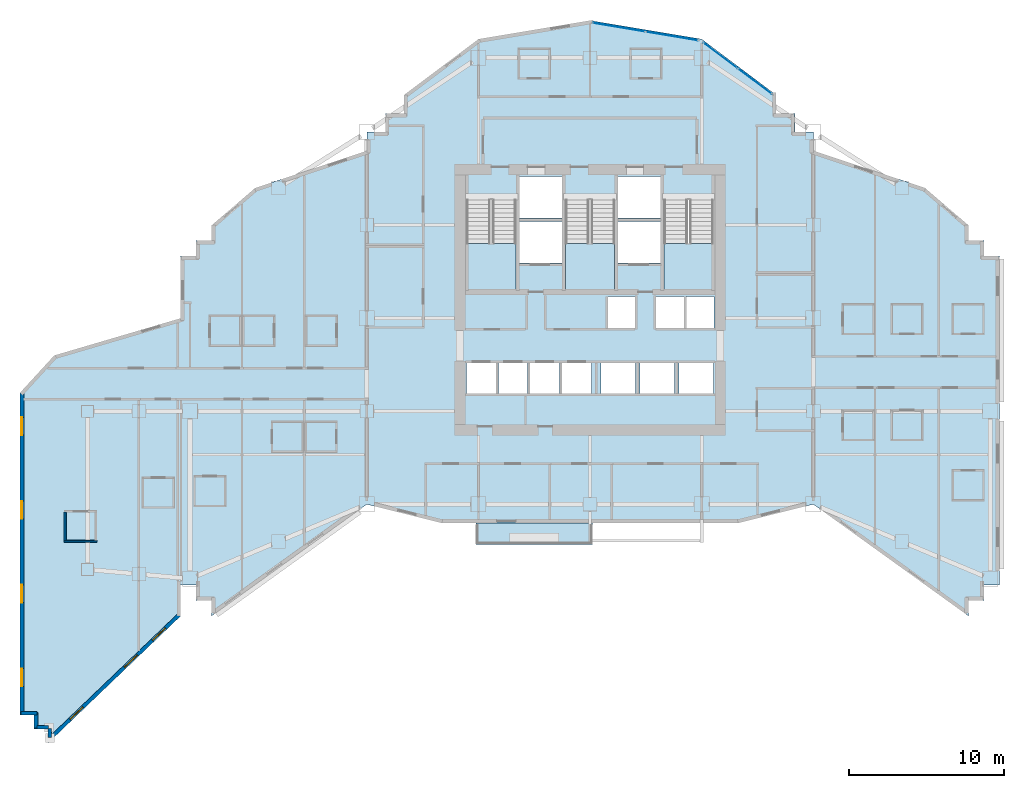
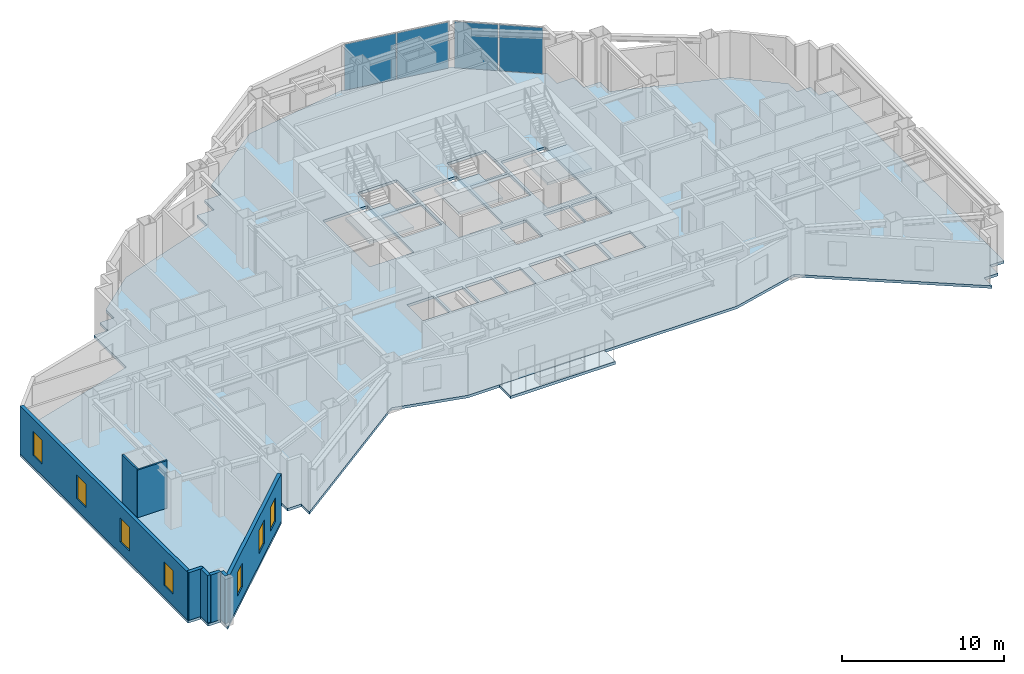
# One storey, part 5 of 16: 8 walls, 7 windows, 5 slabs, 4 plates, 7 openings, 5 elements without a shape of their own.
"""IFC4 building model written with IfcOpenShell, lengths in metres."""

from ifc_helpers import new_model, si_unit, direction, frame, frame_2d, origin, origin_2d, place, context, subcontext, project, spatial, polyline, rectangle, outline, extrude, material, layer, layer_set, type_object, element, fill, aggregate, save


model = new_model("IFC4")

# Units and contexts
model_context = context("Model", 3, precision=1e-05, world=origin(), true_north=direction((0.0, 1.0)))
body_context = subcontext(model_context, "Body", "Model", "MODEL_VIEW")
ifc_project = project(units=[si_unit("LENGTHUNIT", "METRE"), si_unit("AREAUNIT", "SQUARE_METRE"), si_unit("VOLUMEUNIT", "CUBIC_METRE"), si_unit("PLANEANGLEUNIT", "RADIAN"), si_unit("MASSUNIT", "GRAM", prefix="KILO")], contexts=[model_context])

# Site, building, storey
site_placement = place(None, origin())
site = spatial("IfcSite", under=ifc_project, at=site_placement, CompositionType="ELEMENT")
building_placement = place(site_placement, origin())
building = spatial("IfcBuilding", under=site, at=building_placement, Name="Haolan Belvedere Tower", CompositionType="ELEMENT")
storey_placement = place(building_placement, frame((0.0, 0.0, 125.0)))
storey = spatial("IfcBuildingStorey", under=building, at=storey_placement, Name="L31", CompositionType="ELEMENT", Elevation=125.0)

# Curtain wall, plates
ifc_material_1 = material(Name="Anodised champagne-silver aluminium 6063-T6 and Low-E glass", Category="aluminium")
ifc_layer_1 = layer(ifc_material_1, 0.155029296875, Name="Anodised champagne-silver aluminium 6063-T6 and Low-E glass")
ifc_layer_set_1 = layer_set([ifc_layer_1], Name="Anodised champagne-silver aluminium 6063-T6 and Low-E glass")
curtain_wall_type = type_object("IfcCurtainWallType", Name="CW-SYS-03", PredefinedType="NOTDEFINED", material=ifc_layer_set_1)
curtain_wall_1_placement = place(storey_placement, origin())
curtain_wall_1 = element("IfcCurtainWall", 1, at=curtain_wall_1_placement, inside=storey, type_object=curtain_wall_type, Name="L31 CW-SYS-03 ribbon curtain wall 26.1", PredefinedType="NOTDEFINED")
ifc_material_2 = material(Name="Double silver Low-E laminated insulating glass", Category="glass")
ifc_layer_2 = layer(ifc_material_2, 0.02392578125, Name="Double silver Low-E laminated insulating glass")
ifc_layer_set_2 = layer_set([ifc_layer_2], Name="Double silver Low-E laminated insulating glass")
plate_type = type_object("IfcPlateType", Name="CW-SYS-03-PNL", PredefinedType="CURTAIN_PANEL", material=ifc_layer_set_2)
plate_1_placement = place(storey_placement, frame((49.0302734375, 48.877197265625, 0.05419921875), z_axis=(0.0, 0.0, 1.0), x_axis=(-0.800004262313, 0.599994316874, 0.0)))
plate_1 = element("IfcPlate", 2, at=plate_1_placement, type_object=plate_type, Name="CW-03 panel 1.1", PredefinedType="CURTAIN_PANEL", context=body_context, shape_type="SweptSolid", body=[
    extrude(rectangle(XDim=2.728271484375, YDim=0.02392578125, at=origin_2d()), origin(), (0.0, 0.0, 1.0), 3.491943359375),
])
plate_2_placement = place(storey_placement, frame((46.80126953125, 50.549072265625, 0.05419921875), z_axis=(0.0, 0.0, 1.0), x_axis=(-0.800004262313, 0.599994316874, 0.0)))
plate_2 = element("IfcPlate", 3, at=plate_2_placement, type_object=plate_type, Name="CW-03 panel 2.1", PredefinedType="CURTAIN_PANEL", context=body_context, shape_type="SweptSolid", body=[
    extrude(rectangle(XDim=2.728271484375, YDim=0.02392578125, at=origin_2d()), origin(), (0.0, 0.0, 1.0), 3.491943359375),
])
aggregate(curtain_wall_1, [plate_1, plate_2])

curtain_wall_2_placement = place(storey_placement, origin())
curtain_wall_2 = element("IfcCurtainWall", 4, at=curtain_wall_2_placement, inside=storey, type_object=curtain_wall_type, Name="L31 CW-SYS-03 ribbon curtain wall 27.1", PredefinedType="NOTDEFINED")
plate_3_placement = place(storey_placement, frame((43.68017578125, 51.79833984375, 0.05419921875), z_axis=(0.0, 0.0, 1.0), x_axis=(-0.9863931483, 0.16440364043, 0.0)))
plate_3 = element("IfcPlate", 5, at=plate_3_placement, type_object=plate_type, Name="CW-03 panel 1.1", PredefinedType="CURTAIN_PANEL", context=body_context, shape_type="SweptSolid", body=[
    extrude(rectangle(XDim=3.39794921875, YDim=0.02392578125, at=origin_2d()), origin(), (0.0, 0.0, 1.0), 3.491943359375),
])
plate_4_placement = place(storey_placement, frame((40.271240234375, 52.366455078125, 0.05419921875), z_axis=(0.0, 0.0, 1.0), x_axis=(-0.9863931483, 0.16440364043, 0.0)))
plate_4 = element("IfcPlate", 6, at=plate_4_placement, type_object=plate_type, Name="CW-03 panel 2.1", PredefinedType="CURTAIN_PANEL", context=body_context, shape_type="SweptSolid", body=[
    extrude(rectangle(XDim=3.39794921875, YDim=0.02392578125, at=origin_2d()), origin(), (0.0, 0.0, 1.0), 3.491943359375),
])
aggregate(curtain_wall_2, [plate_3, plate_4])

# Slabs
ifc_material_3 = material(Name="Concrete C40/50", Category="concrete")
ifc_layer_3 = layer(ifc_material_3, 0.2099609375, Name="Concrete C40/50")
ifc_layer_set_3 = layer_set([ifc_layer_3], Name="Concrete C40/50")
slab_type_1 = type_object("IfcSlabType", Name="SL-BAL-210", PredefinedType="FLOOR", material=ifc_layer_set_3)
slab_1_placement = place(storey_placement, frame((0.0, 0.0, -0.22998046875)))
element("IfcSlab", 7, at=slab_1_placement, inside=storey, type_object=slab_type_1, Name="L31 structural tree-planter balcony slab BAL-L31-S1", PredefinedType="FLOOR", context=body_context, shape_type="SweptSolid", body=[
    extrude(outline(polyline([(31.050048828125, 19.02001953125), (38.550048828125, 19.02001953125), (38.550048828125, 20.39990234375), (31.050048828125, 20.39990234375), (31.050048828125, 19.02001953125)])), origin(), (0.0, 0.0, 1.0), 0.2099609375),
])
ifc_layer_4 = layer(ifc_material_3, 0.199951171875, Name="Concrete C40/50")
ifc_layer_set_4 = layer_set([ifc_layer_4], Name="Concrete C40/50")
slab_type_2 = type_object("IfcSlabType", Name="SL-FLR-200", PredefinedType="FLOOR", material=ifc_layer_set_4)
slab_2_placement = place(storey_placement, frame((0.0, 0.0, -0.199951171875)))
element("IfcSlab", 8, at=slab_2_placement, inside=storey, type_object=slab_type_2, Name="L31 structural floor slab", PredefinedType="FLOOR", context=body_context, shape_type="SweptSolid", body=[
    extrude(outline(polyline([(12.0, 14.39990234375), (12.0, 16.39990234375), (13.0, 16.39990234375), (13.0, 15.39990234375), (14.0, 15.39990234375), (14.0, 14.39990234375), (24.0, 21.60009765625), (28.800048828125, 20.39990234375), (48.0, 20.39990234375), (52.800048828125, 21.60009765625), (62.800048828125, 14.39990234375), (62.800048828125, 15.39990234375), (63.800048828125, 15.39990234375), (63.800048828125, 16.39990234375), (64.800048828125, 16.39990234375), (64.800048828125, 37.60009765625), (63.800048828125, 37.60009765625), (63.800048828125, 38.60009765625), (62.800048828125, 38.60009765625), (62.800048828125, 39.60009765625), (60.0, 42.0), (52.800048828125, 44.39990234375), (52.800048828125, 45.60009765625), (51.60009765625, 45.60009765625), (51.60009765625, 46.800048828125), (50.39990234375, 46.800048828125), (50.39990234375, 48.0), (45.60009765625, 51.60009765625), (38.39990234375, 52.800048828125), (31.199951171875, 51.60009765625), (26.39990234375, 48.0), (26.39990234375, 46.800048828125), (25.199951171875, 46.800048828125), (25.199951171875, 45.60009765625), (24.0, 45.60009765625), (24.0, 44.39990234375), (16.800048828125, 42.0), (14.0, 39.60009765625), (14.0, 38.60009765625), (13.0, 38.60009765625), (13.0, 37.60009765625), (12.0, 37.60009765625), (12.0, 33.60009765625), (3.840087890625, 31.199951171875), (1.639892578125, 28.800048828125), (1.639892578125, 8.597900390625), (1.639892578125, 7.998046875), (2.5400390625, 7.998046875), (2.5400390625, 7.097900390625), (3.43994140625, 7.097900390625), (3.43994140625, 6.197998046875), (12.0, 14.39990234375)]), holes=[polyline([(30.449951171875, 41.22998046875), (30.449951171875, 35.449951171875), (33.6298828125, 35.449951171875), (33.6298828125, 41.22998046875), (30.449951171875, 41.22998046875)]), polyline([(36.81005859375, 41.22998046875), (36.81005859375, 35.449951171875), (39.989990234375, 35.449951171875), (39.989990234375, 41.22998046875), (36.81005859375, 41.22998046875)]), polyline([(43.169921875, 41.22998046875), (43.169921875, 35.449951171875), (46.35009765625, 35.449951171875), (46.35009765625, 41.22998046875), (43.169921875, 41.22998046875)]), polyline([(33.830078125, 40.050048828125), (36.610107421875, 40.050048828125), (36.610107421875, 42.75), (33.830078125, 42.75), (33.830078125, 40.050048828125)]), polyline([(33.830078125, 37.14990234375), (36.610107421875, 37.14990234375), (36.610107421875, 39.85009765625), (33.830078125, 39.85009765625), (33.830078125, 37.14990234375)]), polyline([(40.18994140625, 40.050048828125), (42.969970703125, 40.050048828125), (42.969970703125, 42.75), (40.18994140625, 42.75), (40.18994140625, 40.050048828125)]), polyline([(40.18994140625, 37.14990234375), (42.969970703125, 37.14990234375), (42.969970703125, 39.85009765625), (40.18994140625, 39.85009765625), (40.18994140625, 37.14990234375)]), polyline([(39.5400390625, 32.949951171875), (41.389892578125, 32.949951171875), (41.389892578125, 35.0), (39.5400390625, 35.0), (39.5400390625, 32.949951171875)]), polyline([(42.6201171875, 32.949951171875), (44.469970703125, 32.949951171875), (44.469970703125, 35.0), (42.6201171875, 35.0), (42.6201171875, 32.949951171875)]), polyline([(44.580078125, 32.949951171875), (46.3798828125, 32.949951171875), (46.3798828125, 35.0), (44.580078125, 35.0), (44.580078125, 32.949951171875)]), polyline([(30.419921875, 28.75), (32.320068359375, 28.75), (32.320068359375, 30.75), (30.419921875, 30.75), (30.419921875, 28.75)]), polyline([(32.47998046875, 28.75), (34.3798828125, 28.75), (34.3798828125, 30.75), (32.47998046875, 30.75), (32.47998046875, 28.75)]), polyline([(34.5400390625, 28.75), (36.43994140625, 28.75), (36.43994140625, 30.75), (34.5400390625, 30.75), (34.5400390625, 28.75)]), polyline([(36.60009765625, 28.75), (38.5, 28.75), (38.5, 30.75), (36.60009765625, 30.75), (36.60009765625, 28.75)]), polyline([(39.10009765625, 28.75), (41.340087890625, 28.75), (41.340087890625, 30.75), (39.10009765625, 30.75), (39.10009765625, 28.75)]), polyline([(41.610107421875, 28.75), (43.85009765625, 28.75), (43.85009765625, 30.75), (41.610107421875, 30.75), (41.610107421875, 28.75)]), polyline([(44.1201171875, 28.75), (46.360107421875, 28.75), (46.360107421875, 30.75), (44.1201171875, 30.75), (44.1201171875, 28.75)])]), origin(), (0.0, 0.0, 1.0), 0.199951171875),
])

# Stair, slab
stair_type = type_object("IfcStairType", Name="STR-DL-22R-173", PredefinedType="HALF_TURN_STAIR", material=ifc_material_3)
stair_1_placement = place(storey_placement, origin())
stair_1 = element("IfcStair", 9, at=stair_1_placement, inside=storey, type_object=stair_type, Name="L31 Smokeproof Core Exit Stair ST1", PredefinedType="HALF_TURN_STAIR")
ifc_layer_5 = layer(ifc_material_3, 0.199951171875, Name="Concrete C40/50")
ifc_layer_set_5 = layer_set([ifc_layer_5], Name="Concrete C40/50")
slab_type_3 = type_object("IfcSlabType", Name="SL-LAND-200", PredefinedType="LANDING", material=ifc_layer_set_5)
slab_3_placement = place(storey_placement, frame((0.0, 0.0, 1.699951171875)))
slab_3 = element("IfcSlab", 10, at=slab_3_placement, type_object=slab_type_3, Name="ST1 landing 1", PredefinedType="LANDING", context=body_context, shape_type="SweptSolid", body=[
    extrude(outline(polyline([(30.449951171875, 38.429931640625), (30.449951171875, 35.449951171875), (33.6298828125, 35.449951171875), (33.6298828125, 38.429931640625), (30.449951171875, 38.429931640625)])), origin(), (0.0, 0.0, 1.0), 0.199951171875),
])
aggregate(stair_1, [slab_3])

stair_2_placement = place(storey_placement, origin())
stair_2 = element("IfcStair", 11, at=stair_2_placement, inside=storey, type_object=stair_type, Name="L31 Smokeproof Core Exit Stair ST3", PredefinedType="HALF_TURN_STAIR")
slab_4_placement = place(storey_placement, frame((0.0, 0.0, 1.699951171875)))
slab_4 = element("IfcSlab", 12, at=slab_4_placement, type_object=slab_type_3, Name="ST3 landing 1", PredefinedType="LANDING", context=body_context, shape_type="SweptSolid", body=[
    extrude(outline(polyline([(36.81005859375, 38.429931640625), (36.81005859375, 35.449951171875), (39.989990234375, 35.449951171875), (39.989990234375, 38.429931640625), (36.81005859375, 38.429931640625)])), origin(), (0.0, 0.0, 1.0), 0.199951171875),
])
aggregate(stair_2, [slab_4])

stair_3_placement = place(storey_placement, origin())
stair_3 = element("IfcStair", 13, at=stair_3_placement, inside=storey, type_object=stair_type, Name="L31 Smokeproof Core Exit Stair ST2", PredefinedType="HALF_TURN_STAIR")
slab_5_placement = place(storey_placement, frame((0.0, 0.0, 1.699951171875)))
slab_5 = element("IfcSlab", 14, at=slab_5_placement, type_object=slab_type_3, Name="ST2 landing 1", PredefinedType="LANDING", context=body_context, shape_type="SweptSolid", body=[
    extrude(outline(polyline([(43.169921875, 38.429931640625), (43.169921875, 35.449951171875), (46.35009765625, 35.449951171875), (46.35009765625, 38.429931640625), (43.169921875, 38.429931640625)])), origin(), (0.0, 0.0, 1.0), 0.199951171875),
])
aggregate(stair_3, [slab_5])

# Wall, openings, windows
ifc_material_4 = material(Name="Precast concrete C40/50", Category="concrete")
ifc_layer_6 = layer(ifc_material_4, 0.239990234375, Name="Precast concrete C40/50")
ifc_layer_set_6 = layer_set([ifc_layer_6], Name="Precast concrete C40/50")
wall_type_1 = type_object("IfcWallType", Name="WL-EXT-240", PredefinedType="SOLIDWALL", material=ifc_layer_set_6)
wall_1_placement = place(storey_placement, frame((1.760009765625, 28.808349609375, 0.0), z_axis=(0.0, 0.0, 1.0), x_axis=(0.0, -1.0, 0.0)))
wall_1 = element("IfcWall", 15, at=wall_1_placement, inside=storey, type_object=wall_type_1, Name="L31 pale-metal exterior spandrel wall 44.1", PredefinedType="SOLIDWALL", context=body_context, shape_type="SweptSolid", body=[
    extrude(rectangle(XDim=20.745361328125, YDim=0.239990234375, at=frame_2d((10.37255859375, 0.0))), origin(), (0.0, 0.0, 1.0), 3.60009765625),
])
opening_1_placement = place(wall_1_placement, frame((1.60009765625, 0.0, 0.85009765625)))
opening_1 = element("IfcOpeningElement", 16, at=opening_1_placement, cuts=wall_1, Name="Opening W-02", PredefinedType="OPENING", context=body_context, shape_type="SweptSolid", body=[
    extrude(rectangle(XDim=1.14990234375, YDim=1.800048828125, at=frame_2d((0.574951171875, 0.89990234375))), frame((0.0, 0.1298828125, 0.0), z_axis=(0.0, -1.0, 0.0), x_axis=(1.0, 0.0, 0.0)), (0.0, 0.0, 1.0), 0.260009765625),
])
opening_2_placement = place(wall_1_placement, frame((7.0, 0.0, 0.85009765625)))
opening_2 = element("IfcOpeningElement", 17, at=opening_2_placement, cuts=wall_1, Name="Opening W-02", PredefinedType="OPENING", context=body_context, shape_type="SweptSolid", body=[
    extrude(rectangle(XDim=1.14990234375, YDim=1.800048828125, at=frame_2d((0.574951171875, 0.89990234375))), frame((0.0, 0.1298828125, 0.0), z_axis=(0.0, -1.0, 0.0), x_axis=(1.0, 0.0, 0.0)), (0.0, 0.0, 1.0), 0.260009765625),
])
opening_3_placement = place(wall_1_placement, frame((12.39990234375, 0.0, 0.85009765625)))
opening_3 = element("IfcOpeningElement", 18, at=opening_3_placement, cuts=wall_1, Name="Opening W-02", PredefinedType="OPENING", context=body_context, shape_type="SweptSolid", body=[
    extrude(rectangle(XDim=1.14990234375, YDim=1.800048828125, at=frame_2d((0.574951171875, 0.89990234375))), frame((0.0, 0.1298828125, 0.0), z_axis=(0.0, -1.0, 0.0), x_axis=(1.0, 0.0, 0.0)), (0.0, 0.0, 1.0), 0.260009765625),
])
opening_4_placement = place(wall_1_placement, frame((17.800048828125, 0.0, 0.85009765625)))
opening_4 = element("IfcOpeningElement", 19, at=opening_4_placement, cuts=wall_1, Name="Opening W-02", PredefinedType="OPENING", context=body_context, shape_type="SweptSolid", body=[
    extrude(rectangle(XDim=1.14990234375, YDim=1.800048828125, at=frame_2d((0.574951171875, 0.89990234375))), frame((0.0, 0.1298828125, 0.0), z_axis=(0.0, -1.0, 0.0), x_axis=(1.0, 0.0, 0.0)), (0.0, 0.0, 1.0), 0.260009765625),
])
ifc_material_5 = material(Name="Anodised aluminium 6063-T6 and Low-E glass", Category="aluminium")
window_type = type_object("IfcWindowType", Name="WN-DECO-Z2", PartitioningType="SINGLE_PANEL", PredefinedType="WINDOW", material=ifc_material_5)
window_1_placement = place(opening_1_placement, origin())
window_1 = element("IfcWindow", 20, at=window_1_placement, inside=storey, type_object=window_type, Name="L31 Art Deco chevron window 1", OverallHeight=1.800048828125, OverallWidth=1.14990234375, PartitioningType="SINGLE_PANEL", PredefinedType="WINDOW", context=body_context, shape_type="SweptSolid", body=[
    extrude(rectangle(XDim=1.14990234375, YDim=1.800048828125, at=frame_2d((0.574951171875, 0.89990234375))), frame((0.0, 0.030029296875, 0.0), z_axis=(0.0, -1.0, 0.0), x_axis=(1.0, 0.0, 0.0)), (0.0, 0.0, 1.0), 0.06005859375),
])
fill(opening_1, window_1)
window_2_placement = place(opening_2_placement, origin())
window_2 = element("IfcWindow", 21, at=window_2_placement, inside=storey, type_object=window_type, Name="L31 Art Deco chevron window 2", OverallHeight=1.800048828125, OverallWidth=1.14990234375, PartitioningType="SINGLE_PANEL", PredefinedType="WINDOW", context=body_context, shape_type="SweptSolid", body=[
    extrude(rectangle(XDim=1.14990234375, YDim=1.800048828125, at=frame_2d((0.574951171875, 0.89990234375))), frame((0.0, 0.030029296875, 0.0), z_axis=(0.0, -1.0, 0.0), x_axis=(1.0, 0.0, 0.0)), (0.0, 0.0, 1.0), 0.06005859375),
])
fill(opening_2, window_2)
window_3_placement = place(opening_3_placement, origin())
window_3 = element("IfcWindow", 22, at=window_3_placement, inside=storey, type_object=window_type, Name="L31 Art Deco chevron window 3", OverallHeight=1.800048828125, OverallWidth=1.14990234375, PartitioningType="SINGLE_PANEL", PredefinedType="WINDOW", context=body_context, shape_type="SweptSolid", body=[
    extrude(rectangle(XDim=1.14990234375, YDim=1.800048828125, at=frame_2d((0.574951171875, 0.89990234375))), frame((0.0, 0.030029296875, 0.0), z_axis=(0.0, -1.0, 0.0), x_axis=(1.0, 0.0, 0.0)), (0.0, 0.0, 1.0), 0.06005859375),
])
fill(opening_3, window_3)
window_4_placement = place(opening_4_placement, origin())
window_4 = element("IfcWindow", 23, at=window_4_placement, inside=storey, type_object=window_type, Name="L31 Art Deco chevron window 4", OverallHeight=1.800048828125, OverallWidth=1.14990234375, PartitioningType="SINGLE_PANEL", PredefinedType="WINDOW", context=body_context, shape_type="SweptSolid", body=[
    extrude(rectangle(XDim=1.14990234375, YDim=1.800048828125, at=frame_2d((0.574951171875, 0.89990234375))), frame((0.0, 0.030029296875, 0.0), z_axis=(0.0, -1.0, 0.0), x_axis=(1.0, 0.0, 0.0)), (0.0, 0.0, 1.0), 0.06005859375),
])
fill(opening_4, window_4)

# Walls
for number, where, z_axis, x_axis, name in (
    (24, (1.705078125, 8.117919921875, 0.0), (0.0, 0.0, 1.0), (1.0, 0.0, 0.0), "L31 pale-metal exterior spandrel wall 45.1"),
    (25, (2.659912109375, 8.173095703125, 0.0), (0.0, 0.0, 1.0), (0.0, -1.0, 0.0), "L31 pale-metal exterior spandrel wall 46.1"),
):
    element("IfcWall", number, at=place(storey_placement, frame(where, z_axis=z_axis, x_axis=x_axis)), inside=storey, type_object=wall_type_1, Name=name, PredefinedType="SOLIDWALL", context=body_context, shape_type="SweptSolid", body=[
        extrude(rectangle(XDim=1.010009765625, YDim=0.239990234375, at=frame_2d((0.5048828125, 0.0))), origin(), (0.0, 0.0, 1.0), 3.60009765625),
    ])
wall_2_placement = place(storey_placement, frame((2.739990234375, 7.218017578125, 0.0), z_axis=(0.0, 0.0, 1.0), x_axis=(1.0, 0.0, 0.0)))
element("IfcWall", 26, at=wall_2_placement, inside=storey, type_object=wall_type_1, Name="L31 pale-metal exterior spandrel wall 47.1", PredefinedType="SOLIDWALL", context=body_context, shape_type="SweptSolid", body=[
    extrude(rectangle(XDim=0.735107421875, YDim=0.239990234375, at=frame_2d((0.36767578125, 0.0))), origin(), (0.0, 0.0, 1.0), 3.60009765625),
])
wall_3_placement = place(storey_placement, frame((3.56005859375, 7.133056640625, 0.0), z_axis=(0.0, 0.0, 1.0), x_axis=(0.0, -1.0, 0.0)))
element("IfcWall", 27, at=wall_3_placement, inside=storey, type_object=wall_type_1, Name="L31 pale-metal exterior spandrel wall 48.1", PredefinedType="SOLIDWALL", context=body_context, shape_type="SweptSolid", body=[
    extrude(rectangle(XDim=0.56884765625, YDim=0.239990234375, at=frame_2d((0.284423828125, 0.0))), origin(), (0.0, 0.0, 1.0), 3.60009765625),
])

# Wall, openings, windows
wall_4_placement = place(storey_placement, frame((3.7080078125, 6.62109375, 0.0), z_axis=(0.0, 0.0, 1.0), x_axis=(0.722047630521, 0.691843348786, 0.0)))
wall_4 = element("IfcWall", 28, at=wall_4_placement, inside=storey, type_object=wall_type_1, Name="L31 pale-metal exterior spandrel wall 49.1", PredefinedType="SOLIDWALL", context=body_context, shape_type="SweptSolid", body=[
    extrude(rectangle(XDim=11.372802734375, YDim=0.239990234375, at=frame_2d((5.6865234375, 0.0))), origin(), (0.0, 0.0, 1.0), 3.60009765625),
])
opening_5_placement = place(wall_4_placement, frame((1.60009765625, 0.0, 0.85009765625)))
opening_5 = element("IfcOpeningElement", 29, at=opening_5_placement, cuts=wall_4, Name="Opening W-02", PredefinedType="OPENING", context=body_context, shape_type="SweptSolid", body=[
    extrude(rectangle(XDim=1.14990234375, YDim=1.800048828125, at=frame_2d((0.574951171875, 0.89990234375))), frame((0.0, 0.1298828125, 0.0), z_axis=(0.0, -1.0, 0.0), x_axis=(1.0, 0.0, 0.0)), (0.0, 0.0, 1.0), 0.260009765625),
])
opening_6_placement = place(wall_4_placement, frame((6.460205078125, 0.0, 0.85009765625)))
opening_6 = element("IfcOpeningElement", 30, at=opening_6_placement, cuts=wall_4, Name="Opening W-02", PredefinedType="OPENING", context=body_context, shape_type="SweptSolid", body=[
    extrude(rectangle(XDim=1.14990234375, YDim=1.800048828125, at=frame_2d((0.574951171875, 0.89990234375))), frame((0.0, 0.1298828125, 0.0), z_axis=(0.0, -1.0, 0.0), x_axis=(1.0, 0.0, 0.0)), (0.0, 0.0, 1.0), 0.260009765625),
])
opening_7_placement = place(wall_4_placement, frame((8.965087890625, 0.0, 0.85009765625)))
opening_7 = element("IfcOpeningElement", 31, at=opening_7_placement, cuts=wall_4, Name="Opening W-02", PredefinedType="OPENING", context=body_context, shape_type="SweptSolid", body=[
    extrude(rectangle(XDim=1.14990234375, YDim=1.800048828125, at=frame_2d((0.574951171875, 0.89990234375))), frame((0.0, 0.1298828125, 0.0), z_axis=(0.0, -1.0, 0.0), x_axis=(1.0, 0.0, 0.0)), (0.0, 0.0, 1.0), 0.260009765625),
])
window_5_placement = place(opening_5_placement, origin())
window_5 = element("IfcWindow", 32, at=window_5_placement, inside=storey, type_object=window_type, Name="L31 Art Deco chevron window 1", OverallHeight=1.800048828125, OverallWidth=1.14990234375, PartitioningType="SINGLE_PANEL", PredefinedType="WINDOW", context=body_context, shape_type="SweptSolid", body=[
    extrude(rectangle(XDim=1.14990234375, YDim=1.800048828125, at=frame_2d((0.574951171875, 0.89990234375))), frame((0.0, 0.030029296875, 0.0), z_axis=(0.0, -1.0, 0.0), x_axis=(1.0, 0.0, 0.0)), (0.0, 0.0, 1.0), 0.06005859375),
])
fill(opening_5, window_5)
window_6_placement = place(opening_6_placement, origin())
window_6 = element("IfcWindow", 33, at=window_6_placement, inside=storey, type_object=window_type, Name="L31 Art Deco chevron window 2", OverallHeight=1.800048828125, OverallWidth=1.14990234375, PartitioningType="SINGLE_PANEL", PredefinedType="WINDOW", context=body_context, shape_type="SweptSolid", body=[
    extrude(rectangle(XDim=1.14990234375, YDim=1.800048828125, at=frame_2d((0.574951171875, 0.89990234375))), frame((0.0, 0.030029296875, 0.0), z_axis=(0.0, -1.0, 0.0), x_axis=(1.0, 0.0, 0.0)), (0.0, 0.0, 1.0), 0.06005859375),
])
fill(opening_6, window_6)
window_7_placement = place(opening_7_placement, origin())
window_7 = element("IfcWindow", 34, at=window_7_placement, inside=storey, type_object=window_type, Name="L31 Art Deco guestroom window 2", OverallHeight=1.800048828125, OverallWidth=1.14990234375, PartitioningType="SINGLE_PANEL", PredefinedType="WINDOW", context=body_context, shape_type="SweptSolid", body=[
    extrude(rectangle(XDim=1.14990234375, YDim=1.800048828125, at=frame_2d((0.574951171875, 0.89990234375))), frame((0.0, 0.030029296875, 0.0), z_axis=(0.0, -1.0, 0.0), x_axis=(1.0, 0.0, 0.0)), (0.0, 0.0, 1.0), 0.06005859375),
])
fill(opening_7, window_7)

# Walls
ifc_material_6 = material(Name="Moisture-resistant gypsum tile partition", Category="masonry")
ifc_layer_7 = layer(ifc_material_6, 0.1201171875, Name="Moisture-resistant gypsum tile partition")
ifc_layer_set_7 = layer_set([ifc_layer_7], Name="Moisture-resistant gypsum tile partition")
wall_type_2 = type_object("IfcWallType", Name="WL-WET-120", PredefinedType="PARTITIONING", material=ifc_layer_set_7)
wall_5_placement = place(storey_placement, frame((4.485107421875, 19.220947265625, 0.0), z_axis=(0.0, 0.0, 1.0), x_axis=(1.0, 0.0, 0.0)))
element("IfcWall", 35, at=wall_5_placement, inside=storey, type_object=wall_type_2, Name="L31 interior partition IW-L31-T1S1-BS", PredefinedType="PARTITIONING", context=body_context, shape_type="SweptSolid", body=[
    extrude(rectangle(XDim=2.099853515625, YDim=0.1201171875, at=frame_2d((1.0498046875, 0.0))), origin(), (0.0, 0.0, 1.0), 3.60009765625),
])
wall_6_placement = place(storey_placement, frame((4.544921875, 19.26611328125, 0.0), z_axis=(0.0, 0.0, 1.0), x_axis=(0.0, 1.0, 0.0)))
element("IfcWall", 36, at=wall_6_placement, inside=storey, type_object=wall_type_2, Name="L31 interior partition IW-L31-T1S1-BW", PredefinedType="PARTITIONING", context=body_context, shape_type="SweptSolid", body=[
    extrude(rectangle(XDim=1.829833984375, YDim=0.1201171875, at=frame_2d((0.9150390625, 0.0))), origin(), (0.0, 0.0, 1.0), 3.60009765625),
])

save(model, "model.ifc")
